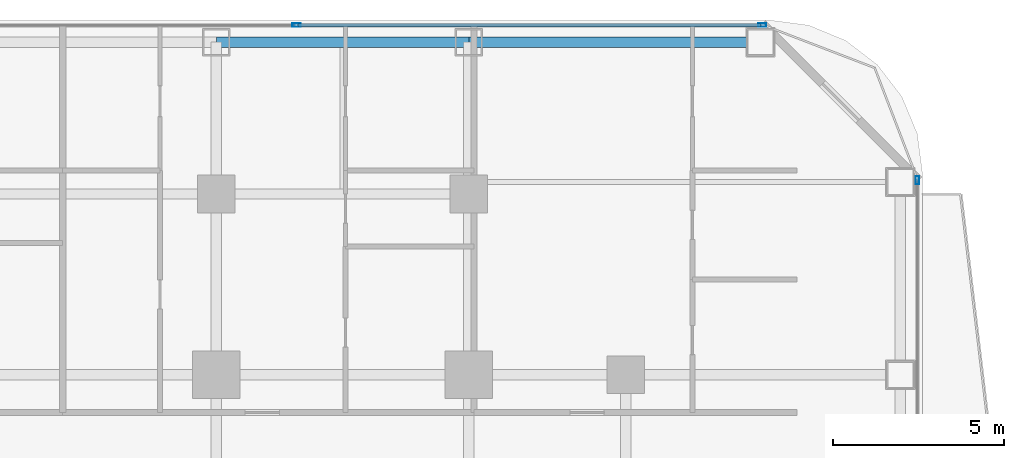
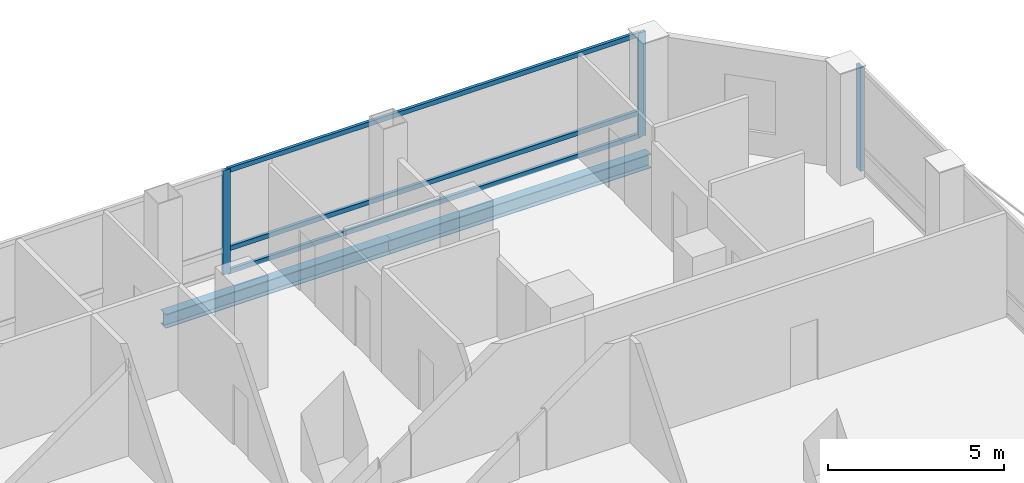
# One storey, part 18 of 27: 6 members, 2 beams, 2 elements without a shape of their own.
"""IFC4 building model written with IfcOpenShell, lengths in metres."""

from ifc_helpers import new_model, si_unit, direction, frame, origin, origin_2d, place, context, subcontext, project, spatial, hollow_rectangle, i_section, extrude, material, layer, layer_set, material_profile, profile_set, type_object, element, aggregate, save


model = new_model("IFC4")

# Units and contexts
model_context = context("Model", 3, precision=1e-05, world=origin(), true_north=direction((0.0, 1.0)))
body_context = subcontext(model_context, "Body", "Model", "MODEL_VIEW")
ifc_project = project(units=[si_unit("LENGTHUNIT", "METRE"), si_unit("AREAUNIT", "SQUARE_METRE"), si_unit("VOLUMEUNIT", "CUBIC_METRE"), si_unit("PLANEANGLEUNIT", "RADIAN"), si_unit("MASSUNIT", "GRAM", prefix="KILO")], contexts=[model_context])

# Site, building, storey
site_placement = place(None, origin())
site = spatial("IfcSite", under=ifc_project, at=site_placement, CompositionType="ELEMENT")
building_placement = place(site_placement, origin())
building = spatial("IfcBuilding", under=site, at=building_placement, Name="Khorvyn Point Tower", CompositionType="ELEMENT")
storey_placement = place(building_placement, frame((0.0, 0.0, 50.10009765625)))
storey = spatial("IfcBuildingStorey", under=building, at=storey_placement, Name="L13", CompositionType="ELEMENT", Elevation=50.10009765625)

# Curtain wall, members
ifc_material_1 = material(Name="Anodised aluminium 6063-T6 and laminated Low-E glass", Category="aluminium")
ifc_layer = layer(ifc_material_1, 0.18994140625)
ifc_layer_set = layer_set([ifc_layer], Name="Stick-Built Finned Residential Curtain Wall CW-SYS-02")
curtain_wall_type = type_object("IfcCurtainWallType", Name="Stick-Built Finned Residential Curtain Wall CW-SYS-02", PredefinedType="NOTDEFINED", material=ifc_layer_set)
curtain_wall_1_placement = place(storey_placement, origin())
curtain_wall_1 = element("IfcCurtainWall", 1, at=curtain_wall_1_placement, inside=storey, type_object=curtain_wall_type, Name="Curtain Wall", PredefinedType="NOTDEFINED")
ifc_material_2 = material(Name="Anodised aluminium 6063-T6", Category="aluminium")
ifc_material_profile_1 = material_profile(ifc_material_2, hollow_rectangle(XDim=0.10009765625, YDim=0.239990234375, WallThickness=0.0048828125, at=origin_2d()))
ifc_profile_set_1 = profile_set([ifc_material_profile_1], Name="Anodised aluminium 6063-T6 ALU-MUL-100x240")
member_type_1 = type_object("IfcMemberType", Name="Anodised Aluminium 6063-T6 Mullion ALU-MUL-100x240", PredefinedType="MULLION", material=ifc_profile_set_1)
member_1_placement = place(storey_placement, frame((9.75, 25.050048828125, 0.0), z_axis=(0.0, 0.0, 1.0), x_axis=(0.0, 1.0, 0.0)))
member_1 = element("IfcMember", 2, at=member_1_placement, type_object=member_type_1, Name="Transom", PredefinedType="MULLION", context=body_context, shape_type="SweptSolid", body=[
    extrude(hollow_rectangle(XDim=0.10009765625, YDim=0.239990234375, WallThickness=0.0048828125, at=origin_2d()), origin(), (0.0, 0.0, 1.0), 3.619873046875),
])
member_2_placement = place(storey_placement, frame((23.39990234375, 25.050048828125, 0.0), z_axis=(0.0, 0.0, 1.0), x_axis=(0.0, 1.0, 0.0)))
member_2 = element("IfcMember", 3, at=member_2_placement, type_object=member_type_1, Name="Transom", PredefinedType="MULLION", context=body_context, shape_type="SweptSolid", body=[
    extrude(hollow_rectangle(XDim=0.10009765625, YDim=0.239990234375, WallThickness=0.0048828125, at=origin_2d()), origin(), (0.0, 0.0, 1.0), 3.619873046875),
])

# Curtain wall, member
curtain_wall_2_placement = place(storey_placement, origin())
curtain_wall_2 = element("IfcCurtainWall", 4, at=curtain_wall_2_placement, inside=storey, type_object=curtain_wall_type, Name="Curtain Wall", PredefinedType="NOTDEFINED")
member_3_placement = place(storey_placement, frame((27.949951171875, 20.5, 0.0), z_axis=(0.0, 0.0, 1.0), x_axis=(1.0, 0.0, 0.0)))
member_3 = element("IfcMember", 5, at=member_3_placement, type_object=member_type_1, Name="Transom", PredefinedType="MULLION", context=body_context, shape_type="SweptSolid", body=[
    extrude(hollow_rectangle(XDim=0.10009765625, YDim=0.239990234375, WallThickness=0.0048828125, at=origin_2d()), origin(), (0.0, 0.0, 1.0), 3.619873046875),
])
aggregate(curtain_wall_2, [member_3])

# Member
ifc_material_profile_2 = material_profile(ifc_material_2, hollow_rectangle(XDim=0.10009765625, YDim=0.159912109375, WallThickness=0.00439453125, at=origin_2d()))
ifc_profile_set_2 = profile_set([ifc_material_profile_2], Name="Anodised aluminium 6063-T6 ALU-TRN-100x160")
member_type_2 = type_object("IfcMemberType", Name="Anodised Aluminium 6063-T6 Transom ALU-TRN-100x160", PredefinedType="USERDEFINED", material=ifc_profile_set_2)
member_4_placement = place(storey_placement, frame((9.800048828125, 25.050048828125, 0.0498046875), z_axis=(1.0, 0.0, 0.0), x_axis=(0.0, 1.0, 0.0)))
member_4 = element("IfcMember", 6, at=member_4_placement, type_object=member_type_2, Name="Transom", ObjectType="TRANSOM", PredefinedType="USERDEFINED", context=body_context, shape_type="SweptSolid", body=[
    extrude(hollow_rectangle(XDim=0.10009765625, YDim=0.159912109375, WallThickness=0.00439453125, at=origin_2d()), origin(), (0.0, 0.0, 1.0), 13.550048828125),
])

member_5_placement = place(storey_placement, frame((9.800048828125, 25.050048828125, 0.849853515625), z_axis=(1.0, 0.0, 0.0), x_axis=(0.0, 1.0, 0.0)))
member_5 = element("IfcMember", 7, at=member_5_placement, type_object=member_type_2, Name="Transom", ObjectType="TRANSOM", PredefinedType="USERDEFINED", context=body_context, shape_type="SweptSolid", body=[
    extrude(hollow_rectangle(XDim=0.10009765625, YDim=0.159912109375, WallThickness=0.00439453125, at=origin_2d()), origin(), (0.0, 0.0, 1.0), 13.550048828125),
])

member_6_placement = place(storey_placement, frame((9.800048828125, 25.050048828125, 3.56982421875), z_axis=(1.0, 0.0, 0.0), x_axis=(0.0, 1.0, 0.0)))
member_6 = element("IfcMember", 8, at=member_6_placement, type_object=member_type_2, Name="Transom", ObjectType="TRANSOM", PredefinedType="USERDEFINED", context=body_context, shape_type="SweptSolid", body=[
    extrude(hollow_rectangle(XDim=0.10009765625, YDim=0.159912109375, WallThickness=0.00439453125, at=origin_2d()), origin(), (0.0, 0.0, 1.0), 13.550048828125),
])

aggregate(curtain_wall_1, [member_1, member_2, member_4, member_5, member_6])

# Beams
ifc_material_3 = material(Name="Steel S355", Category="steel")
ifc_material_profile_3 = material_profile(ifc_material_3, i_section(OverallWidth=0.300048828125, OverallDepth=0.488037109375, WebThickness=0.010986328125, FlangeThickness=0.01806640625, at=origin_2d()))
ifc_profile_set_3 = profile_set([ifc_material_profile_3], Name="Steel S355 H488x300x11x18")
beam_type = type_object("IfcBeamType", Name="Steel S355 Spandrel H488x300x11x18", PredefinedType="SPANDREL", material=ifc_profile_set_3)
beam_1_placement = place(storey_placement, frame((7.39990234375, 24.550048828125, -0.464111328125), z_axis=(1.0, 0.0, 0.0), x_axis=(0.0, 1.0, 0.0)))
element("IfcBeam", 9, at=beam_1_placement, inside=storey, type_object=beam_type, Name="Beam", PredefinedType="SPANDREL", context=body_context, shape_type="SweptSolid", body=[
    extrude(i_section(OverallWidth=0.300048828125, OverallDepth=0.488037109375, WebThickness=0.010986328125, FlangeThickness=0.01806640625, at=origin_2d()), origin(), (0.0, 0.0, 1.0), 7.400146484375),
])
beam_2_placement = place(storey_placement, frame((14.800048828125, 24.550048828125, -0.464111328125), z_axis=(1.0, 0.0, 0.0), x_axis=(0.0, 1.0, 0.0)))
element("IfcBeam", 10, at=beam_2_placement, inside=storey, type_object=beam_type, Name="Beam", PredefinedType="SPANDREL", context=body_context, shape_type="SweptSolid", body=[
    extrude(i_section(OverallWidth=0.300048828125, OverallDepth=0.488037109375, WebThickness=0.010986328125, FlangeThickness=0.01806640625, at=origin_2d()), origin(), (0.0, 0.0, 1.0), 8.550048828125),
])

save(model, "model.ifc")
